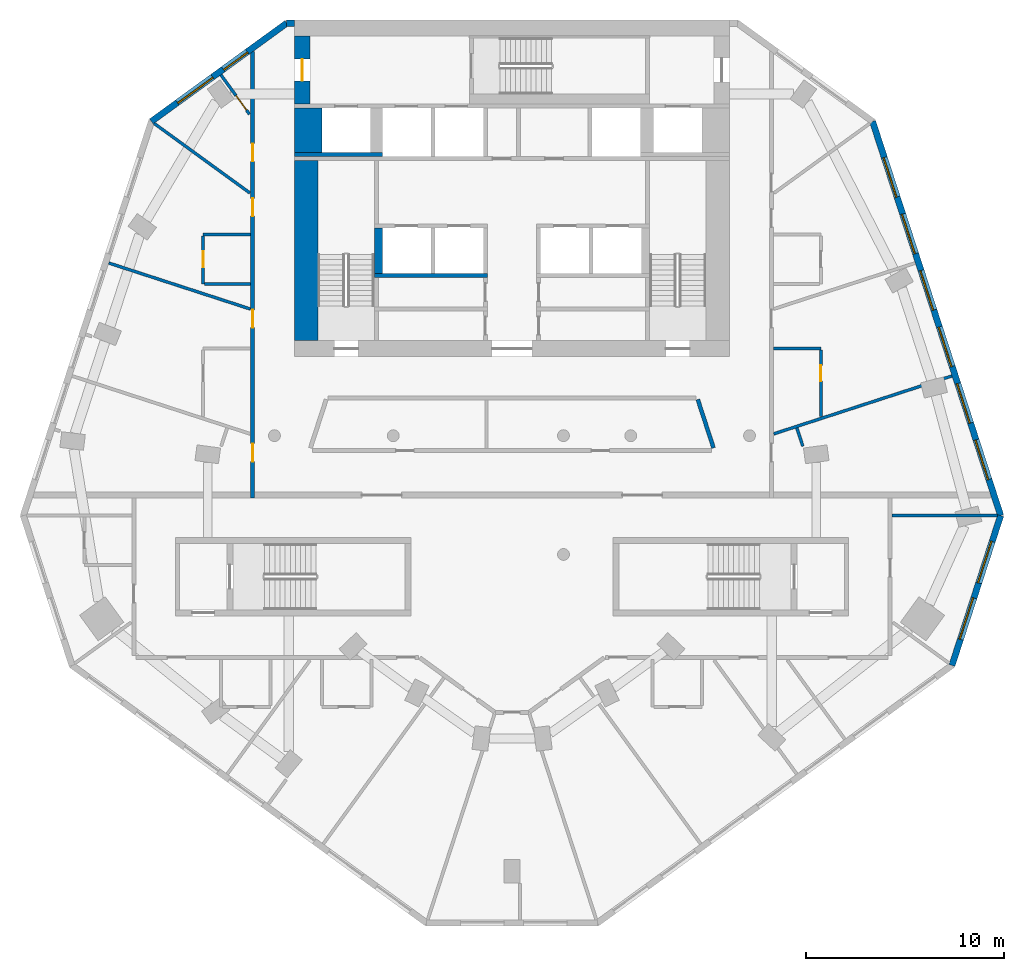
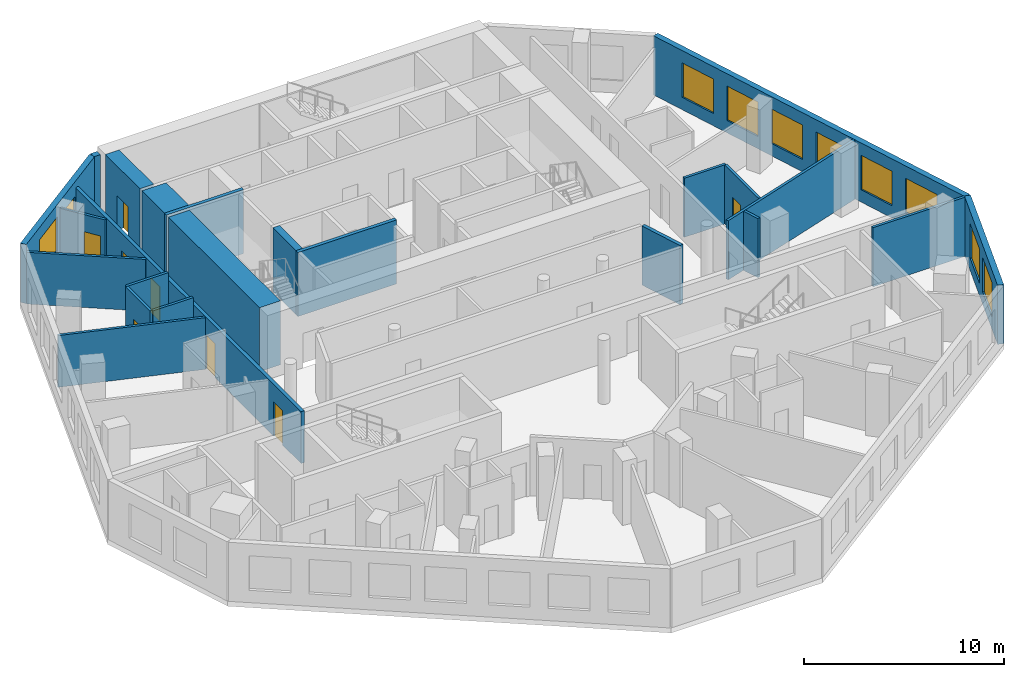
# One storey, part 5 of 9: 23 walls, 10 windows, 8 doors, 18 openings.
"""IFC4 building model written with IfcOpenShell, lengths in metres."""

from ifc_helpers import new_model, si_unit, direction, frame, frame_2d, origin, place, context, subcontext, project, spatial, rectangle, extrude, material, layer, layer_set, type_object, element, fill, save


model = new_model("IFC4")

# Units and contexts
model_context = context("Model", 3, precision=1e-05, world=origin(), true_north=direction((0.0, 1.0)))
body_context = subcontext(model_context, "Body", "Model", "MODEL_VIEW")
ifc_project = project(units=[si_unit("LENGTHUNIT", "METRE"), si_unit("AREAUNIT", "SQUARE_METRE"), si_unit("VOLUMEUNIT", "CUBIC_METRE"), si_unit("PLANEANGLEUNIT", "RADIAN"), si_unit("MASSUNIT", "GRAM", prefix="KILO")], contexts=[model_context])

# Site, building, storey
site_placement = place(None, origin())
site = spatial("IfcSite", under=ifc_project, at=site_placement, CompositionType="ELEMENT")
building_placement = place(site_placement, origin())
building = spatial("IfcBuilding", under=site, at=building_placement, Name="White Candle Pilgrim Tower", CompositionType="ELEMENT")
storey_placement = place(building_placement, frame((0.0, 0.0, 212.10009765625)))
storey = spatial("IfcBuildingStorey", under=building, at=storey_placement, Name="L49", CompositionType="ELEMENT", Elevation=212.10009765625)

# Walls
ifc_material_1 = material(Name="Concrete C50/60", Category="concrete")
ifc_layer_1 = layer(ifc_material_1, 1.39990234375)
ifc_layer_set_1 = layer_set([ifc_layer_1], Name="Core wall 1400 mm Concrete C50/60")
wall_type_1 = type_object("IfcWallType", Name="Core wall 1400 mm Concrete C50/60", PredefinedType="SHEAR", material=ifc_layer_set_1)
wall_1_placement = place(storey_placement, frame((59.699951171875, 81.300048828125, 0.0), z_axis=(0.0, 0.0, 1.0), x_axis=(0.0, 1.0, 0.0)))
element("IfcWall", 1, at=wall_1_placement, inside=storey, type_object=wall_type_1, Name="WL-L49-C43", PredefinedType="SHEAR", context=body_context, shape_type="SweptSolid", body=[
    extrude(rectangle(XDim=2.25, YDim=1.39990234375, at=frame_2d((1.125, 0.0))), origin(), (0.0, 0.0, 1.0), 3.89990234375),
])
ifc_layer_2 = layer(ifc_material_1, 0.199951171875)
ifc_layer_set_2 = layer_set([ifc_layer_2], Name="Core wall 200 mm Concrete C50/60")
wall_type_2 = type_object("IfcWallType", Name="Core wall 200 mm Concrete C50/60", PredefinedType="SHEAR", material=ifc_layer_set_2)
wall_2_placement = place(storey_placement, frame((59.0, 81.199951171875, 0.0), z_axis=(0.0, 0.0, 1.0), x_axis=(1.0, 0.0, 0.0)))
element("IfcWall", 2, at=wall_2_placement, inside=storey, type_object=wall_type_2, Name="WL-L49-C37", PredefinedType="SHEAR", context=body_context, shape_type="SweptSolid", body=[
    extrude(rectangle(XDim=4.449951171875, YDim=0.199951171875, at=frame_2d((2.22509765625, 0.0))), origin(), (0.0, 0.0, 1.0), 3.89990234375),
])

# Wall, opening, door
ifc_layer_3 = layer(ifc_material_1, 0.800048828125)
ifc_layer_set_3 = layer_set([ifc_layer_3], Name="Core wall 800 mm Concrete C50/60")
wall_type_3 = type_object("IfcWallType", Name="Core wall 800 mm Concrete C50/60", PredefinedType="SHEAR", material=ifc_layer_set_3)
wall_3_placement = place(storey_placement, frame((59.39990234375, 83.75, 0.0), z_axis=(0.0, 0.0, 1.0), x_axis=(0.0, 1.0, 0.0)))
wall_3 = element("IfcWall", 3, at=wall_3_placement, inside=storey, type_object=wall_type_3, Name="WL-L49-C48", PredefinedType="SHEAR", context=body_context, shape_type="SweptSolid", body=[
    extrude(rectangle(XDim=3.449951171875, YDim=0.800048828125, at=frame_2d((1.72509765625, 0.0))), origin(), (0.0, 0.0, 1.0), 3.89990234375),
])
opening_1_placement = place(wall_3_placement, frame((1.175048828125, 0.0, 0.0)))
opening_1 = element("IfcOpeningElement", 4, at=opening_1_placement, cuts=wall_3, Name="Opening T15-009", PredefinedType="OPENING", context=body_context, shape_type="SweptSolid", body=[
    extrude(rectangle(XDim=1.10009765625, YDim=2.10009765625, at=frame_2d((0.550048828125, 1.050048828125))), frame((0.0, 0.409912109375, 0.0), z_axis=(0.0, -1.0, 0.0), x_axis=(1.0, 0.0, 0.0)), (0.0, 0.0, 1.0), 0.820068359375),
])
ifc_material_2 = material(Name="Steel door leaf", Category="steel")
door_type_1 = type_object("IfcDoorType", Name="Fire door 1100 x 2100 EI 60", OperationType="NOTDEFINED", PredefinedType="DOOR", material=ifc_material_2)
door_1_placement = place(opening_1_placement, origin())
door_1 = element("IfcDoor", 5, at=door_1_placement, inside=storey, type_object=door_type_1, Name="Door T15-009", OperationType="SINGLE_SWING_LEFT", OverallHeight=2.10009765625, OverallWidth=1.10009765625, PredefinedType="DOOR", context=body_context, shape_type="SweptSolid", body=[
    extrude(rectangle(XDim=1.10009765625, YDim=2.10009765625, at=frame_2d((0.550048828125, 1.050048828125))), frame((0.0, 0.02490234375, 0.0), z_axis=(0.0, -1.0, 0.0), x_axis=(1.0, 0.0, 0.0)), (0.0, 0.0, 1.0), 0.050048828125),
])
fill(opening_1, door_1)

# Wall, openings, doors
ifc_material_3 = material(Name="Gypsum board on steel studs", Category="steel")
ifc_layer_4 = layer(ifc_material_3, 0.199951171875)
ifc_layer_set_4 = layer_set([ifc_layer_4], Name="Corridor wall 200 mm EI 45")
wall_type_4 = type_object("IfcWallType", Name="Corridor wall 200 mm EI 45", PredefinedType="PARTITIONING", material=ifc_layer_set_4)
wall_4_placement = place(storey_placement, frame((56.89990234375, 63.85009765625, 0.0), z_axis=(0.0, 0.0, 1.0), x_axis=(0.0, 1.0, 0.0)))
wall_4 = element("IfcWall", 6, at=wall_4_placement, inside=storey, type_object=wall_type_4, Name="WL-L49-P002", PredefinedType="PARTITIONING", context=body_context, shape_type="SweptSolid", body=[
    extrude(rectangle(XDim=22.546142578125, YDim=0.199951171875, at=frame_2d((11.27294921875, 0.0))), origin(), (0.0, 0.0, 1.0), 3.14990234375),
])
opening_2_placement = place(wall_4_placement, frame((1.844970703125, 0.0, 0.0)))
opening_2 = element("IfcOpeningElement", 7, at=opening_2_placement, cuts=wall_4, Name="Opening T15-123", PredefinedType="OPENING", context=body_context, shape_type="SweptSolid", body=[
    extrude(rectangle(XDim=0.89990234375, YDim=2.10009765625, at=frame_2d((0.449951171875, 1.050048828125))), frame((0.0, 0.10986328125, 0.0), z_axis=(0.0, -1.0, 0.0), x_axis=(1.0, 0.0, 0.0)), (0.0, 0.0, 1.0), 0.219970703125),
])
opening_3_placement = place(wall_4_placement, frame((8.61181640625, 0.0, 0.0)))
opening_3 = element("IfcOpeningElement", 8, at=opening_3_placement, cuts=wall_4, Name="Opening T15-124", PredefinedType="OPENING", context=body_context, shape_type="SweptSolid", body=[
    extrude(rectangle(XDim=0.89990234375, YDim=2.10009765625, at=frame_2d((0.449951171875, 1.050048828125))), frame((0.0, 0.10986328125, 0.0), z_axis=(0.0, -1.0, 0.0), x_axis=(1.0, 0.0, 0.0)), (0.0, 0.0, 1.0), 0.219970703125),
])
opening_4_placement = place(wall_4_placement, frame((14.235595703125, 0.0, 0.0)))
opening_4 = element("IfcOpeningElement", 9, at=opening_4_placement, cuts=wall_4, Name="Opening T15-125", PredefinedType="OPENING", context=body_context, shape_type="SweptSolid", body=[
    extrude(rectangle(XDim=0.89990234375, YDim=2.10009765625, at=frame_2d((0.449951171875, 1.050048828125))), frame((0.0, 0.10986328125, 0.0), z_axis=(0.0, -1.0, 0.0), x_axis=(1.0, 0.0, 0.0)), (0.0, 0.0, 1.0), 0.219970703125),
])
opening_5_placement = place(wall_4_placement, frame((17.002197265625, 0.0, 0.0)))
opening_5 = element("IfcOpeningElement", 10, at=opening_5_placement, cuts=wall_4, Name="Opening T15-126", PredefinedType="OPENING", context=body_context, shape_type="SweptSolid", body=[
    extrude(rectangle(XDim=0.89990234375, YDim=2.10009765625, at=frame_2d((0.449951171875, 1.050048828125))), frame((0.0, 0.10986328125, 0.0), z_axis=(0.0, -1.0, 0.0), x_axis=(1.0, 0.0, 0.0)), (0.0, 0.0, 1.0), 0.219970703125),
])
door_type_2 = type_object("IfcDoorType", Name="Fire door 900 x 2100 EI 30", OperationType="NOTDEFINED", PredefinedType="DOOR", material=ifc_material_2)
door_2_placement = place(opening_2_placement, origin())
door_2 = element("IfcDoor", 11, at=door_2_placement, inside=storey, type_object=door_type_2, Name="Door T15-123", OperationType="SINGLE_SWING_LEFT", OverallHeight=2.10009765625, OverallWidth=0.89990234375, PredefinedType="DOOR", context=body_context, shape_type="SweptSolid", body=[
    extrude(rectangle(XDim=0.89990234375, YDim=2.10009765625, at=frame_2d((0.449951171875, 1.050048828125))), frame((0.0, 0.02490234375, 0.0), z_axis=(0.0, -1.0, 0.0), x_axis=(1.0, 0.0, 0.0)), (0.0, 0.0, 1.0), 0.050048828125),
])
fill(opening_2, door_2)
door_3_placement = place(opening_3_placement, origin())
door_3 = element("IfcDoor", 12, at=door_3_placement, inside=storey, type_object=door_type_2, Name="Door T15-124", OperationType="SINGLE_SWING_RIGHT", OverallHeight=2.10009765625, OverallWidth=0.89990234375, PredefinedType="DOOR", context=body_context, shape_type="SweptSolid", body=[
    extrude(rectangle(XDim=0.89990234375, YDim=2.10009765625, at=frame_2d((0.449951171875, 1.050048828125))), frame((0.0, 0.02490234375, 0.0), z_axis=(0.0, -1.0, 0.0), x_axis=(1.0, 0.0, 0.0)), (0.0, 0.0, 1.0), 0.050048828125),
])
fill(opening_3, door_3)
door_4_placement = place(opening_4_placement, origin())
door_4 = element("IfcDoor", 13, at=door_4_placement, inside=storey, type_object=door_type_2, Name="Door T15-125", OperationType="SINGLE_SWING_LEFT", OverallHeight=2.10009765625, OverallWidth=0.89990234375, PredefinedType="DOOR", context=body_context, shape_type="SweptSolid", body=[
    extrude(rectangle(XDim=0.89990234375, YDim=2.10009765625, at=frame_2d((0.449951171875, 1.050048828125))), frame((0.0, 0.02490234375, 0.0), z_axis=(0.0, -1.0, 0.0), x_axis=(1.0, 0.0, 0.0)), (0.0, 0.0, 1.0), 0.050048828125),
])
fill(opening_4, door_4)
door_5_placement = place(opening_5_placement, origin())
door_5 = element("IfcDoor", 14, at=door_5_placement, inside=storey, type_object=door_type_2, Name="Door T15-126", OperationType="SINGLE_SWING_RIGHT", OverallHeight=2.10009765625, OverallWidth=0.89990234375, PredefinedType="DOOR", context=body_context, shape_type="SweptSolid", body=[
    extrude(rectangle(XDim=0.89990234375, YDim=2.10009765625, at=frame_2d((0.449951171875, 1.050048828125))), frame((0.0, 0.02490234375, 0.0), z_axis=(0.0, -1.0, 0.0), x_axis=(1.0, 0.0, 0.0)), (0.0, 0.0, 1.0), 0.050048828125),
])
fill(opening_5, door_5)

# Wall
wall_5_placement = place(storey_placement, frame((80.181640625, 66.380859375, 0.0), z_axis=(0.0, 0.0, 1.0), x_axis=(-0.309053927645, 0.951044515155, 0.0)))
element("IfcWall", 15, at=wall_5_placement, inside=storey, type_object=wall_type_4, Name="WL-L49-P013", PredefinedType="PARTITIONING", context=body_context, shape_type="SweptSolid", body=[
    extrude(rectangle(XDim=2.576171875, YDim=0.199951171875, at=frame_2d((1.2880859375, 0.0))), origin(), (0.0, 0.0, 1.0), 3.599853515625),
])

# Wall, openings, windows
ifc_material_4 = material(Name="Precast concrete C40/50", Category="concrete")
ifc_layer_5 = layer(ifc_material_4, 0.320068359375)
ifc_layer_set_5 = layer_set([ifc_layer_5], Name="Facade wall EW1 precast concrete C40/50 pier wall with timber-lined reveals")
wall_type_5 = type_object("IfcWallType", Name="Facade wall EW1 precast concrete C40/50 pier wall with timber-lined reveals", PredefinedType="SOLIDWALL", material=ifc_layer_set_5)
wall_6_placement = place(storey_placement, frame((92.22900390625, 55.396240234375, 0.0), z_axis=(0.0, 0.0, 1.0), x_axis=(0.309020158762, 0.951055488118, 0.0)))
wall_6 = element("IfcWall", 16, at=wall_6_placement, inside=storey, type_object=wall_type_5, Name="Facade wall L49 E chamfer", PredefinedType="SOLIDWALL", context=body_context, shape_type="SweptSolid", body=[
    extrude(rectangle(XDim=7.95654296875, YDim=0.320068359375, at=frame_2d((3.978271484375, 0.0))), origin(), (0.0, 0.0, 1.0), 3.599853515625),
])
opening_6_placement = place(wall_6_placement, frame((1.378173828125, 0.0, 0.75)))
opening_6 = element("IfcOpeningElement", 17, at=opening_6_placement, cuts=wall_6, Name="Opening W4", PredefinedType="OPENING", context=body_context, shape_type="SweptSolid", body=[
    extrude(rectangle(XDim=2.199951171875, YDim=2.10009765625, at=frame_2d((1.10009765625, 1.050048828125))), frame((0.0, 0.169921875, 0.0), z_axis=(0.0, -1.0, 0.0), x_axis=(1.0, 0.0, 0.0)), (0.0, 0.0, 1.0), 0.340087890625),
])
opening_7_placement = place(wall_6_placement, frame((4.378173828125, 0.0, 0.75)))
opening_7 = element("IfcOpeningElement", 18, at=opening_7_placement, cuts=wall_6, Name="Opening W4", PredefinedType="OPENING", context=body_context, shape_type="SweptSolid", body=[
    extrude(rectangle(XDim=2.199951171875, YDim=2.10009765625, at=frame_2d((1.10009765625, 1.050048828125))), frame((0.0, 0.169921875, 0.0), z_axis=(0.0, -1.0, 0.0), x_axis=(1.0, 0.0, 0.0)), (0.0, 0.0, 1.0), 0.340087890625),
])
ifc_material_5 = material(Name="Timber frame with triple glazing", Category="wood")
window_type_1 = type_object("IfcWindowType", Name="Window W4 2200x2100 timber frame triple glazing", PartitioningType="SINGLE_PANEL", PredefinedType="WINDOW", material=ifc_material_5)
window_1_placement = place(opening_6_placement, origin())
window_1 = element("IfcWindow", 19, at=window_1_placement, inside=storey, type_object=window_type_1, Name="Window W4 L49 E chamfer 1", OverallHeight=2.10009765625, OverallWidth=2.199951171875, PartitioningType="SINGLE_PANEL", PredefinedType="WINDOW", context=body_context, shape_type="SweptSolid", body=[
    extrude(rectangle(XDim=2.199951171875, YDim=2.10009765625, at=frame_2d((1.10009765625, 1.050048828125))), frame((0.0, 0.070068359375, 0.0), z_axis=(0.0, -1.0, 0.0), x_axis=(1.0, 0.0, 0.0)), (0.0, 0.0, 1.0), 0.06005859375),
])
fill(opening_6, window_1)
window_2_placement = place(opening_7_placement, origin())
window_2 = element("IfcWindow", 20, at=window_2_placement, inside=storey, type_object=window_type_1, Name="Window W4 L49 E chamfer 2", OverallHeight=2.10009765625, OverallWidth=2.199951171875, PartitioningType="SINGLE_PANEL", PredefinedType="WINDOW", context=body_context, shape_type="SweptSolid", body=[
    extrude(rectangle(XDim=2.199951171875, YDim=2.10009765625, at=frame_2d((1.10009765625, 1.050048828125))), frame((0.0, 0.070068359375, 0.0), z_axis=(0.0, -1.0, 0.0), x_axis=(1.0, 0.0, 0.0)), (0.0, 0.0, 1.0), 0.06005859375),
])
fill(opening_7, window_2)

wall_7_placement = place(storey_placement, frame((94.687744140625, 62.96337890625, 0.0), z_axis=(0.0, 0.0, 1.0), x_axis=(-0.309019363855, 0.951055746401, 0.0)))
wall_7 = element("IfcWall", 21, at=wall_7_placement, inside=storey, type_object=wall_type_5, Name="Facade wall L49 ENE", PredefinedType="SOLIDWALL", context=body_context, shape_type="SweptSolid", body=[
    extrude(rectangle(XDim=20.93701171875, YDim=0.320068359375, at=frame_2d((10.468505859375, 0.0))), origin(), (0.0, 0.0, 1.0), 3.599853515625),
])
opening_8_placement = place(wall_7_placement, frame((1.918701171875, 0.0, 0.75)))
opening_8 = element("IfcOpeningElement", 22, at=opening_8_placement, cuts=wall_7, Name="Opening W3", PredefinedType="OPENING", context=body_context, shape_type="SweptSolid", body=[
    extrude(rectangle(XDim=2.10009765625, YDim=2.10009765625, at=frame_2d((1.050048828125, 1.050048828125))), frame((0.0, 0.169921875, 0.0), z_axis=(0.0, -1.0, 0.0), x_axis=(1.0, 0.0, 0.0)), (0.0, 0.0, 1.0), 0.340087890625),
])
opening_9_placement = place(wall_7_placement, frame((4.918701171875, 0.0, 0.75)))
opening_9 = element("IfcOpeningElement", 23, at=opening_9_placement, cuts=wall_7, Name="Opening W3", PredefinedType="OPENING", context=body_context, shape_type="SweptSolid", body=[
    extrude(rectangle(XDim=2.10009765625, YDim=2.10009765625, at=frame_2d((1.050048828125, 1.050048828125))), frame((0.0, 0.169921875, 0.0), z_axis=(0.0, -1.0, 0.0), x_axis=(1.0, 0.0, 0.0)), (0.0, 0.0, 1.0), 0.340087890625),
])
opening_10_placement = place(wall_7_placement, frame((7.918701171875, 0.0, 0.75)))
opening_10 = element("IfcOpeningElement", 24, at=opening_10_placement, cuts=wall_7, Name="Opening W3", PredefinedType="OPENING", context=body_context, shape_type="SweptSolid", body=[
    extrude(rectangle(XDim=2.10009765625, YDim=2.10009765625, at=frame_2d((1.050048828125, 1.050048828125))), frame((0.0, 0.169921875, 0.0), z_axis=(0.0, -1.0, 0.0), x_axis=(1.0, 0.0, 0.0)), (0.0, 0.0, 1.0), 0.340087890625),
])
opening_11_placement = place(wall_7_placement, frame((10.918701171875, 0.0, 0.75)))
opening_11 = element("IfcOpeningElement", 25, at=opening_11_placement, cuts=wall_7, Name="Opening W3", PredefinedType="OPENING", context=body_context, shape_type="SweptSolid", body=[
    extrude(rectangle(XDim=2.10009765625, YDim=2.10009765625, at=frame_2d((1.050048828125, 1.050048828125))), frame((0.0, 0.169921875, 0.0), z_axis=(0.0, -1.0, 0.0), x_axis=(1.0, 0.0, 0.0)), (0.0, 0.0, 1.0), 0.340087890625),
])
opening_12_placement = place(wall_7_placement, frame((13.918701171875, 0.0, 0.75)))
opening_12 = element("IfcOpeningElement", 26, at=opening_12_placement, cuts=wall_7, Name="Opening W3", PredefinedType="OPENING", context=body_context, shape_type="SweptSolid", body=[
    extrude(rectangle(XDim=2.10009765625, YDim=2.10009765625, at=frame_2d((1.050048828125, 1.050048828125))), frame((0.0, 0.169921875, 0.0), z_axis=(0.0, -1.0, 0.0), x_axis=(1.0, 0.0, 0.0)), (0.0, 0.0, 1.0), 0.340087890625),
])
opening_13_placement = place(wall_7_placement, frame((16.918701171875, 0.0, 0.75)))
opening_13 = element("IfcOpeningElement", 27, at=opening_13_placement, cuts=wall_7, Name="Opening W3", PredefinedType="OPENING", context=body_context, shape_type="SweptSolid", body=[
    extrude(rectangle(XDim=2.10009765625, YDim=2.10009765625, at=frame_2d((1.050048828125, 1.050048828125))), frame((0.0, 0.169921875, 0.0), z_axis=(0.0, -1.0, 0.0), x_axis=(1.0, 0.0, 0.0)), (0.0, 0.0, 1.0), 0.340087890625),
])
window_type_2 = type_object("IfcWindowType", Name="Window W3 2100x2100 timber frame triple glazing", PartitioningType="SINGLE_PANEL", PredefinedType="WINDOW", material=ifc_material_5)
window_3_placement = place(opening_8_placement, origin())
window_3 = element("IfcWindow", 28, at=window_3_placement, inside=storey, type_object=window_type_2, Name="Window W3 L49 ENE 1", OverallHeight=2.10009765625, OverallWidth=2.10009765625, PartitioningType="SINGLE_PANEL", PredefinedType="WINDOW", context=body_context, shape_type="SweptSolid", body=[
    extrude(rectangle(XDim=2.10009765625, YDim=2.10009765625, at=frame_2d((1.050048828125, 1.050048828125))), frame((0.0, 0.070068359375, 0.0), z_axis=(0.0, -1.0, 0.0), x_axis=(1.0, 0.0, 0.0)), (0.0, 0.0, 1.0), 0.06005859375),
])
fill(opening_8, window_3)
window_4_placement = place(opening_9_placement, origin())
window_4 = element("IfcWindow", 29, at=window_4_placement, inside=storey, type_object=window_type_2, Name="Window W3 L49 ENE 2", OverallHeight=2.10009765625, OverallWidth=2.10009765625, PartitioningType="SINGLE_PANEL", PredefinedType="WINDOW", context=body_context, shape_type="SweptSolid", body=[
    extrude(rectangle(XDim=2.10009765625, YDim=2.10009765625, at=frame_2d((1.050048828125, 1.050048828125))), frame((0.0, 0.070068359375, 0.0), z_axis=(0.0, -1.0, 0.0), x_axis=(1.0, 0.0, 0.0)), (0.0, 0.0, 1.0), 0.06005859375),
])
fill(opening_9, window_4)
window_5_placement = place(opening_10_placement, origin())
window_5 = element("IfcWindow", 30, at=window_5_placement, inside=storey, type_object=window_type_2, Name="Window W3 L49 ENE 3", OverallHeight=2.10009765625, OverallWidth=2.10009765625, PartitioningType="SINGLE_PANEL", PredefinedType="WINDOW", context=body_context, shape_type="SweptSolid", body=[
    extrude(rectangle(XDim=2.10009765625, YDim=2.10009765625, at=frame_2d((1.050048828125, 1.050048828125))), frame((0.0, 0.070068359375, 0.0), z_axis=(0.0, -1.0, 0.0), x_axis=(1.0, 0.0, 0.0)), (0.0, 0.0, 1.0), 0.06005859375),
])
fill(opening_10, window_5)
window_6_placement = place(opening_11_placement, origin())
window_6 = element("IfcWindow", 31, at=window_6_placement, inside=storey, type_object=window_type_2, Name="Window W3 L49 ENE 4", OverallHeight=2.10009765625, OverallWidth=2.10009765625, PartitioningType="SINGLE_PANEL", PredefinedType="WINDOW", context=body_context, shape_type="SweptSolid", body=[
    extrude(rectangle(XDim=2.10009765625, YDim=2.10009765625, at=frame_2d((1.050048828125, 1.050048828125))), frame((0.0, 0.070068359375, 0.0), z_axis=(0.0, -1.0, 0.0), x_axis=(1.0, 0.0, 0.0)), (0.0, 0.0, 1.0), 0.06005859375),
])
fill(opening_11, window_6)
window_7_placement = place(opening_12_placement, origin())
window_7 = element("IfcWindow", 32, at=window_7_placement, inside=storey, type_object=window_type_2, Name="Window W3 L49 ENE 5", OverallHeight=2.10009765625, OverallWidth=2.10009765625, PartitioningType="SINGLE_PANEL", PredefinedType="WINDOW", context=body_context, shape_type="SweptSolid", body=[
    extrude(rectangle(XDim=2.10009765625, YDim=2.10009765625, at=frame_2d((1.050048828125, 1.050048828125))), frame((0.0, 0.070068359375, 0.0), z_axis=(0.0, -1.0, 0.0), x_axis=(1.0, 0.0, 0.0)), (0.0, 0.0, 1.0), 0.06005859375),
])
fill(opening_12, window_7)
window_8_placement = place(opening_13_placement, origin())
window_8 = element("IfcWindow", 33, at=window_8_placement, inside=storey, type_object=window_type_2, Name="Window W3 L49 ENE 6", OverallHeight=2.10009765625, OverallWidth=2.10009765625, PartitioningType="SINGLE_PANEL", PredefinedType="WINDOW", context=body_context, shape_type="SweptSolid", body=[
    extrude(rectangle(XDim=2.10009765625, YDim=2.10009765625, at=frame_2d((1.050048828125, 1.050048828125))), frame((0.0, 0.070068359375, 0.0), z_axis=(0.0, -1.0, 0.0), x_axis=(1.0, 0.0, 0.0)), (0.0, 0.0, 1.0), 0.06005859375),
])
fill(opening_13, window_8)

# Wall
wall_8_placement = place(storey_placement, frame((59.0, 87.840087890625, 0.0), z_axis=(0.0, 0.0, 1.0), x_axis=(-1.0, 0.0, 0.0)))
element("IfcWall", 34, at=wall_8_placement, inside=storey, type_object=wall_type_5, Name="Facade wall L49 N", PredefinedType="SOLIDWALL", context=body_context, shape_type="SweptSolid", body=[
    extrude(rectangle(XDim=0.385009765625, YDim=0.320068359375, at=frame_2d((0.1923828125, 0.0))), origin(), (0.0, 0.0, 1.0), 3.599853515625),
])

# Wall, openings, windows
wall_9_placement = place(storey_placement, frame((58.614990234375, 87.840087890625, 0.0), z_axis=(0.0, 0.0, 1.0), x_axis=(-0.809013499188, -0.587790062975, 0.0)))
wall_9 = element("IfcWall", 35, at=wall_9_placement, inside=storey, type_object=wall_type_5, Name="Facade wall L49 NW chamfer", PredefinedType="SOLIDWALL", context=body_context, shape_type="SweptSolid", body=[
    extrude(rectangle(XDim=8.44580078125, YDim=0.320068359375, at=frame_2d((4.222900390625, 0.0))), origin(), (0.0, 0.0, 1.0), 3.599853515625),
])
opening_14_placement = place(wall_9_placement, frame((2.459716796875, 0.0, 0.89990234375)))
opening_14 = element("IfcOpeningElement", 36, at=opening_14_placement, cuts=wall_9, Name="Opening W1", PredefinedType="OPENING", context=body_context, shape_type="SweptSolid", body=[
    extrude(rectangle(XDim=1.5, YDim=1.800048828125, at=frame_2d((0.75, 0.89990234375))), frame((0.0, 0.169921875, 0.0), z_axis=(0.0, -1.0, 0.0), x_axis=(1.0, 0.0, 0.0)), (0.0, 0.0, 1.0), 0.340087890625),
])
opening_15_placement = place(wall_9_placement, frame((4.622802734375, 0.0, 0.75)))
opening_15 = element("IfcOpeningElement", 37, at=opening_15_placement, cuts=wall_9, Name="Opening W4", PredefinedType="OPENING", context=body_context, shape_type="SweptSolid", body=[
    extrude(rectangle(XDim=2.199951171875, YDim=2.10009765625, at=frame_2d((1.10009765625, 1.050048828125))), frame((0.0, 0.169921875, 0.0), z_axis=(0.0, -1.0, 0.0), x_axis=(1.0, 0.0, 0.0)), (0.0, 0.0, 1.0), 0.340087890625),
])
window_type_3 = type_object("IfcWindowType", Name="Window W1 1500x1800 timber frame triple glazing", PartitioningType="SINGLE_PANEL", PredefinedType="WINDOW", material=ifc_material_5)
window_9_placement = place(opening_14_placement, origin())
window_9 = element("IfcWindow", 38, at=window_9_placement, inside=storey, type_object=window_type_3, Name="Window W1 L49 NW chamfer 1", OverallHeight=1.800048828125, OverallWidth=1.5, PartitioningType="SINGLE_PANEL", PredefinedType="WINDOW", context=body_context, shape_type="SweptSolid", body=[
    extrude(rectangle(XDim=1.5, YDim=1.800048828125, at=frame_2d((0.75, 0.89990234375))), frame((0.0, 0.070068359375, 0.0), z_axis=(0.0, -1.0, 0.0), x_axis=(1.0, 0.0, 0.0)), (0.0, 0.0, 1.0), 0.06005859375),
])
fill(opening_14, window_9)
window_10_placement = place(opening_15_placement, origin())
window_10 = element("IfcWindow", 39, at=window_10_placement, inside=storey, type_object=window_type_1, Name="Window W4 L49 NW chamfer 2", OverallHeight=2.10009765625, OverallWidth=2.199951171875, PartitioningType="SINGLE_PANEL", PredefinedType="WINDOW", context=body_context, shape_type="SweptSolid", body=[
    extrude(rectangle(XDim=2.199951171875, YDim=2.10009765625, at=frame_2d((1.10009765625, 1.050048828125))), frame((0.0, 0.070068359375, 0.0), z_axis=(0.0, -1.0, 0.0), x_axis=(1.0, 0.0, 0.0)), (0.0, 0.0, 1.0), 0.06005859375),
])
fill(opening_15, window_10)

# Walls
ifc_layer_6 = layer(ifc_material_3, 0.14990234375)
ifc_layer_set_6 = layer_set([ifc_layer_6], Name="Partition 150 mm EI 60")
wall_type_6 = type_object("IfcWallType", Name="Partition 150 mm EI 60", PredefinedType="PARTITIONING", material=ifc_layer_set_6)
wall_10_placement = place(storey_placement, frame((51.91845703125, 82.77685546875, 0.0), z_axis=(0.0, 0.0, 1.0), x_axis=(0.809011434577, -0.587792904622, 0.0)))
element("IfcWall", 40, at=wall_10_placement, inside=storey, type_object=wall_type_6, Name="WL-L49-P015", PredefinedType="PARTITIONING", context=body_context, shape_type="SweptSolid", body=[
    extrude(rectangle(XDim=5.9794921875, YDim=0.14990234375, at=frame_2d((2.98974609375, 0.0))), origin(), (0.0, 0.0, 1.0), 3.14990234375),
])
wall_11_placement = place(storey_placement, frame((94.519287109375, 62.96337890625, 0.0), z_axis=(0.0, 0.0, 1.0), x_axis=(-1.0, 0.0, 0.0)))
element("IfcWall", 41, at=wall_11_placement, inside=storey, type_object=wall_type_6, Name="WL-L49-P021", PredefinedType="PARTITIONING", context=body_context, shape_type="SweptSolid", body=[
    extrude(rectangle(XDim=5.3193359375, YDim=0.14990234375, at=frame_2d((2.65966796875, 0.0))), origin(), (0.0, 0.0, 1.0), 3.599853515625),
])

# Wall, opening, door
wall_12_placement = place(storey_placement, frame((55.292724609375, 85.228515625, 0.0), z_axis=(0.0, 0.0, 1.0), x_axis=(0.587741046581, -0.809049109859, 0.0)))
wall_12 = element("IfcWall", 42, at=wall_12_placement, inside=storey, type_object=wall_type_6, Name="WL-L49-P023", PredefinedType="PARTITIONING", context=body_context, shape_type="SweptSolid", body=[
    extrude(rectangle(XDim=2.461181640625, YDim=0.14990234375, at=frame_2d((1.23046875, 0.0))), origin(), (0.0, 0.0, 1.0), 3.14990234375),
])
opening_16_placement = place(wall_12_placement, frame((1.300048828125, 0.0, 0.0)))
opening_16 = element("IfcOpeningElement", 43, at=opening_16_placement, cuts=wall_12, Name="Opening T15-127", PredefinedType="OPENING", context=body_context, shape_type="SweptSolid", body=[
    extrude(rectangle(XDim=0.89990234375, YDim=2.10009765625, at=frame_2d((0.449951171875, 1.050048828125))), frame((0.0, 0.0849609375, 0.0), z_axis=(0.0, -1.0, 0.0), x_axis=(1.0, 0.0, 0.0)), (0.0, 0.0, 1.0), 0.169921875),
])
door_6_placement = place(opening_16_placement, origin())
door_6 = element("IfcDoor", 44, at=door_6_placement, inside=storey, type_object=door_type_2, Name="Door T15-127", OperationType="SINGLE_SWING_LEFT", OverallHeight=2.10009765625, OverallWidth=0.89990234375, PredefinedType="DOOR", context=body_context, shape_type="SweptSolid", body=[
    extrude(rectangle(XDim=0.89990234375, YDim=2.10009765625, at=frame_2d((0.449951171875, 1.050048828125))), frame((0.0, 0.02490234375, 0.0), z_axis=(0.0, -1.0, 0.0), x_axis=(1.0, 0.0, 0.0)), (0.0, 0.0, 1.0), 0.050048828125),
])
fill(opening_16, door_6)

# Walls
wall_13_placement = place(storey_placement, frame((49.62646484375, 75.723388671875, 0.0), z_axis=(0.0, 0.0, 1.0), x_axis=(0.951049340024, -0.309039079794, 0.0)))
element("IfcWall", 45, at=wall_13_placement, inside=storey, type_object=wall_type_6, Name="WL-L49-P024", PredefinedType="PARTITIONING", context=body_context, shape_type="SweptSolid", body=[
    extrude(rectangle(XDim=7.518310546875, YDim=0.14990234375, at=frame_2d((3.75927734375, 0.0))), origin(), (0.0, 0.0, 1.0), 3.14990234375),
])
wall_14_placement = place(storey_placement, frame((56.800048828125, 77.159912109375, 0.0), z_axis=(0.0, 0.0, 1.0), x_axis=(-1.0, 0.0, 0.0)))
element("IfcWall", 46, at=wall_14_placement, inside=storey, type_object=wall_type_6, Name="WL-L49-P026", PredefinedType="PARTITIONING", context=body_context, shape_type="SweptSolid", body=[
    extrude(rectangle(XDim=2.400146484375, YDim=0.14990234375, at=frame_2d((1.2001953125, 0.0))), origin(), (0.0, 0.0, 1.0), 3.599853515625),
])

# Wall, opening, door
wall_15_placement = place(storey_placement, frame((54.39990234375, 74.659912109375, 0.0), z_axis=(0.0, 0.0, 1.0), x_axis=(0.0, 1.0, 0.0)))
wall_15 = element("IfcWall", 47, at=wall_15_placement, inside=storey, type_object=wall_type_6, Name="WL-L49-P027", PredefinedType="PARTITIONING", context=body_context, shape_type="SweptSolid", body=[
    extrude(rectangle(XDim=2.425048828125, YDim=0.14990234375, at=frame_2d((1.21240234375, 0.0))), origin(), (0.0, 0.0, 1.0), 3.599853515625),
])
opening_17_placement = place(wall_15_placement, frame((0.85009765625, 0.0, 0.0)))
opening_17 = element("IfcOpeningElement", 48, at=opening_17_placement, cuts=wall_15, Name="Opening T15-101", PredefinedType="OPENING", context=body_context, shape_type="SweptSolid", body=[
    extrude(rectangle(XDim=0.800048828125, YDim=2.10009765625, at=frame_2d((0.39990234375, 1.050048828125))), frame((0.0, 0.0849609375, 0.0), z_axis=(0.0, -1.0, 0.0), x_axis=(1.0, 0.0, 0.0)), (0.0, 0.0, 1.0), 0.169921875),
])
door_type_3 = type_object("IfcDoorType", Name="Fire door 800 x 2100 EI 30", OperationType="NOTDEFINED", PredefinedType="DOOR", material=ifc_material_2)
door_7_placement = place(opening_17_placement, origin())
door_7 = element("IfcDoor", 49, at=door_7_placement, inside=storey, type_object=door_type_3, Name="Door T15-101", OperationType="SINGLE_SWING_LEFT", OverallHeight=2.10009765625, OverallWidth=0.800048828125, PredefinedType="DOOR", context=body_context, shape_type="SweptSolid", body=[
    extrude(rectangle(XDim=0.800048828125, YDim=2.10009765625, at=frame_2d((0.39990234375, 1.050048828125))), frame((0.0, 0.02490234375, 0.0), z_axis=(0.0, -1.0, 0.0), x_axis=(1.0, 0.0, 0.0)), (0.0, 0.0, 1.0), 0.050048828125),
])
fill(opening_17, door_7)

# Walls
wall_16_placement = place(storey_placement, frame((56.800048828125, 74.659912109375, 0.0), z_axis=(0.0, 0.0, 1.0), x_axis=(-1.0, 0.0, 0.0)))
element("IfcWall", 50, at=wall_16_placement, inside=storey, type_object=wall_type_6, Name="WL-L49-P028", PredefinedType="PARTITIONING", context=body_context, shape_type="SweptSolid", body=[
    extrude(rectangle(XDim=2.324951171875, YDim=0.14990234375, at=frame_2d((1.16259765625, 0.0))), origin(), (0.0, 0.0, 1.0), 3.599853515625),
])
wall_17_placement = place(storey_placement, frame((92.2275390625, 70.016845703125, 0.0), z_axis=(0.0, 0.0, 1.0), x_axis=(-0.951061731956, -0.309000941761, 0.0)))
element("IfcWall", 51, at=wall_17_placement, inside=storey, type_object=wall_type_6, Name="WL-L49-P047", PredefinedType="PARTITIONING", context=body_context, shape_type="SweptSolid", body=[
    extrude(rectangle(XDim=9.4677734375, YDim=0.14990234375, at=frame_2d((4.73388671875, 0.0))), origin(), (0.0, 0.0, 1.0), 3.599853515625),
])
wall_18_placement = place(storey_placement, frame((83.199951171875, 71.39990234375, 0.0), z_axis=(0.0, 0.0, 1.0), x_axis=(1.0, 0.0, 0.0)))
element("IfcWall", 52, at=wall_18_placement, inside=storey, type_object=wall_type_6, Name="WL-L49-P049", PredefinedType="PARTITIONING", context=body_context, shape_type="SweptSolid", body=[
    extrude(rectangle(XDim=2.400146484375, YDim=0.14990234375, at=frame_2d((1.2001953125, 0.0))), origin(), (0.0, 0.0, 1.0), 3.599853515625),
])

# Wall, opening, door
wall_19_placement = place(storey_placement, frame((85.60009765625, 67.966796875, 0.0), z_axis=(0.0, 0.0, 1.0), x_axis=(0.0, 1.0, 0.0)))
wall_19 = element("IfcWall", 53, at=wall_19_placement, inside=storey, type_object=wall_type_6, Name="WL-L49-P050", PredefinedType="PARTITIONING", context=body_context, shape_type="SweptSolid", body=[
    extrude(rectangle(XDim=3.358154296875, YDim=0.14990234375, at=frame_2d((1.67919921875, 0.0))), origin(), (0.0, 0.0, 1.0), 3.599853515625),
])
opening_18_placement = place(wall_19_placement, frame((1.783203125, 0.0, 0.0)))
opening_18 = element("IfcOpeningElement", 54, at=opening_18_placement, cuts=wall_19, Name="Opening T15-117", PredefinedType="OPENING", context=body_context, shape_type="SweptSolid", body=[
    extrude(rectangle(XDim=0.800048828125, YDim=2.10009765625, at=frame_2d((0.39990234375, 1.050048828125))), frame((0.0, 0.0849609375, 0.0), z_axis=(0.0, -1.0, 0.0), x_axis=(1.0, 0.0, 0.0)), (0.0, 0.0, 1.0), 0.169921875),
])
door_8_placement = place(opening_18_placement, frame((0.800048828125, 0.0, 0.0), z_axis=(0.0, 0.0, 1.0), x_axis=(-1.0, 0.0, 0.0)))
door_8 = element("IfcDoor", 55, at=door_8_placement, inside=storey, type_object=door_type_3, Name="Door T15-117", OperationType="SINGLE_SWING_RIGHT", OverallHeight=2.10009765625, OverallWidth=0.800048828125, PredefinedType="DOOR", context=body_context, shape_type="SweptSolid", body=[
    extrude(rectangle(XDim=0.800048828125, YDim=2.10009765625, at=frame_2d((0.39990234375, 1.050048828125))), frame((0.0, 0.02490234375, 0.0), z_axis=(0.0, -1.0, 0.0), x_axis=(1.0, 0.0, 0.0)), (0.0, 0.0, 1.0), 0.050048828125),
])
fill(opening_18, door_8)

# Walls
wall_20_placement = place(storey_placement, frame((84.693359375, 66.462158203125, 0.0), z_axis=(0.0, 0.0, 1.0), x_axis=(-0.308950530708, 0.951078109082, 0.0)))
element("IfcWall", 56, at=wall_20_placement, inside=storey, type_object=wall_type_6, Name="WL-L49-P059", PredefinedType="PARTITIONING", context=body_context, shape_type="SweptSolid", body=[
    extrude(rectangle(XDim=0.9775390625, YDim=0.14990234375, at=frame_2d((0.48876953125, 0.0))), origin(), (0.0, 0.0, 1.0), 3.599853515625),
])
ifc_layer_7 = layer(ifc_material_1, 1.199951171875)
ifc_layer_set_7 = layer_set([ifc_layer_7], Name="Stair shaft wall 1200 mm Concrete C50/60")
wall_type_7 = type_object("IfcWallType", Name="Stair shaft wall 1200 mm Concrete C50/60", PredefinedType="SHEAR", material=ifc_layer_set_7)
wall_21_placement = place(storey_placement, frame((59.60009765625, 71.800048828125, 0.0), z_axis=(0.0, 0.0, 1.0), x_axis=(0.0, 1.0, 0.0)))
element("IfcWall", 57, at=wall_21_placement, inside=storey, type_object=wall_type_7, Name="WL-L49-C12", PredefinedType="SHEAR", context=body_context, shape_type="SweptSolid", body=[
    extrude(rectangle(XDim=9.099853515625, YDim=1.199951171875, at=frame_2d((4.5498046875, 0.0))), origin(), (0.0, 0.0, 1.0), 3.89990234375),
])
ifc_layer_8 = layer(ifc_material_1, 0.199951171875)
ifc_layer_set_8 = layer_set([ifc_layer_8], Name="Stair shaft wall 200 mm Concrete C50/60")
wall_type_8 = type_object("IfcWallType", Name="Stair shaft wall 200 mm Concrete C50/60", PredefinedType="SHEAR", material=ifc_layer_set_8)
wall_22_placement = place(storey_placement, frame((63.050048828125, 75.10009765625, 0.0), z_axis=(0.0, 0.0, 1.0), x_axis=(1.0, 0.0, 0.0)))
element("IfcWall", 58, at=wall_22_placement, inside=storey, type_object=wall_type_8, Name="WL-L49-C24", PredefinedType="SHEAR", context=body_context, shape_type="SweptSolid", body=[
    extrude(rectangle(XDim=5.699951171875, YDim=0.199951171875, at=frame_2d((2.85009765625, 0.0))), origin(), (0.0, 0.0, 1.0), 3.89990234375),
])
ifc_layer_9 = layer(ifc_material_1, 0.39990234375)
ifc_layer_set_9 = layer_set([ifc_layer_9], Name="Stair shaft wall 400 mm Concrete C50/60")
wall_type_9 = type_object("IfcWallType", Name="Stair shaft wall 400 mm Concrete C50/60", PredefinedType="SHEAR", material=ifc_layer_set_9)
wall_23_placement = place(storey_placement, frame((63.25, 75.199951171875, 0.0), z_axis=(0.0, 0.0, 1.0), x_axis=(0.0, 1.0, 0.0)))
element("IfcWall", 59, at=wall_23_placement, inside=storey, type_object=wall_type_9, Name="WL-L49-C26", PredefinedType="SHEAR", context=body_context, shape_type="SweptSolid", body=[
    extrude(rectangle(XDim=2.300048828125, YDim=0.39990234375, at=frame_2d((1.14990234375, 0.0))), origin(), (0.0, 0.0, 1.0), 3.89990234375),
])

save(model, "model.ifc")
